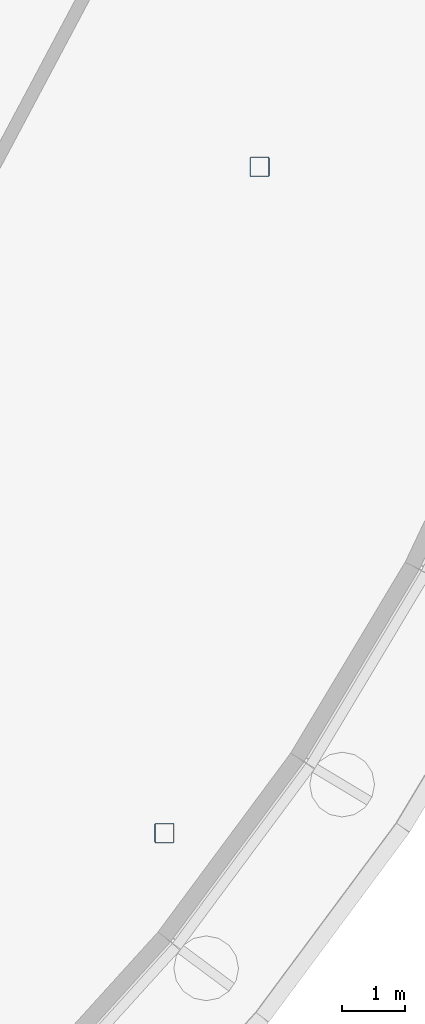
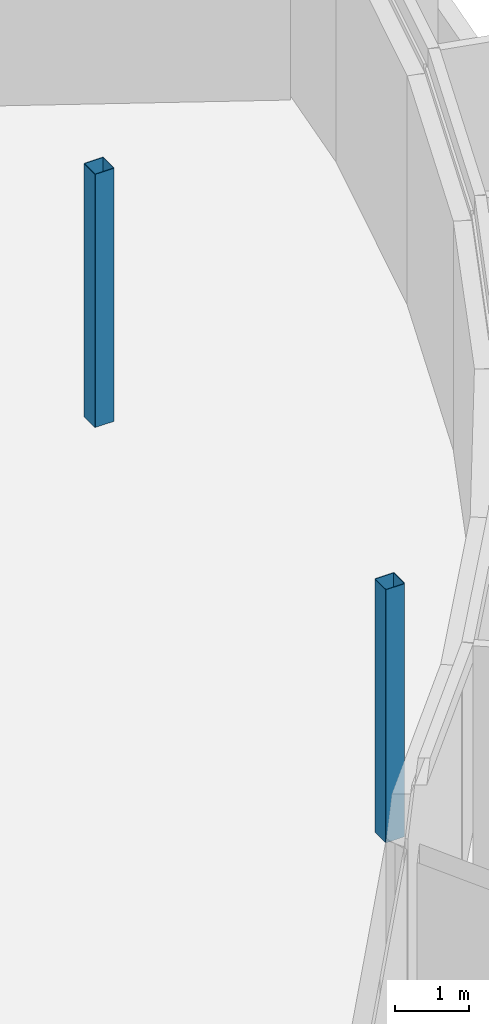
# One storey, part 2 of 12: 2 columns.
"""IFC4 building model written with IfcOpenShell, lengths in metres."""

from ifc_helpers import new_model, si_unit, direction, frame, origin, origin_2d, place, context, subcontext, project, spatial, hollow_rectangle, extrude, material, material_profile, profile_set, type_object, element, save


model = new_model("IFC4")

# Units and contexts
model_context = context("Model", 3, precision=1e-05, world=origin(), true_north=direction((0.0, 1.0)))
body_context = subcontext(model_context, "Body", "Model", "MODEL_VIEW")
ifc_project = project(units=[si_unit("LENGTHUNIT", "METRE"), si_unit("AREAUNIT", "SQUARE_METRE"), si_unit("VOLUMEUNIT", "CUBIC_METRE"), si_unit("PLANEANGLEUNIT", "RADIAN"), si_unit("MASSUNIT", "GRAM", prefix="KILO")], contexts=[model_context])

# Site, building, storey
site_placement = place(None, origin())
site = spatial("IfcSite", under=ifc_project, at=site_placement, CompositionType="ELEMENT")
building_placement = place(site_placement, origin())
building = spatial("IfcBuilding", under=site, at=building_placement, Name="Cormorant Relay Tower", CompositionType="ELEMENT")
storey_placement = place(building_placement, frame((0.0, 0.0, 349.199951171875)))
storey = spatial("IfcBuildingStorey", under=building, at=storey_placement, Name="C6", CompositionType="ELEMENT", Elevation=349.199951171875)

# Columns
ifc_material = material(Name="Steel ASTM A500 Grade C (Fy 345 MPa)", Category="steel")
ifc_material_profile = material_profile(ifc_material, hollow_rectangle(XDim=0.3046875, YDim=0.3046875, WallThickness=0.0087890625, InnerFilletRadius=0.00439453125, OuterFilletRadius=0.01318359375, at=origin_2d()), Name="HSS305x305x9")
ifc_profile_set = profile_set([ifc_material_profile], Name="Steel ASTM A500 Grade C (Fy 345 MPa)")
column_type = type_object("IfcColumnType", Name="Column HSS305x305x9", PredefinedType="COLUMN", material=ifc_profile_set)
for number, where, z_axis, x_axis, name in (
    (1, (-12.0, 0.0, 0.0), (0.0, 0.0, 1.0), (1.0, 0.0, 0.0), "Column C6-001"),
    (2, (-10.5, 10.5, 0.0), (0.0, 0.0, 1.0), (1.0, 0.0, 0.0), "Column C6-002"),
):
    element("IfcColumn", number, at=place(storey_placement, frame(where, z_axis=z_axis, x_axis=x_axis)), inside=storey, type_object=column_type, Name=name, PredefinedType="COLUMN", context=body_context, shape_type="SweptSolid", body=[
        extrude(hollow_rectangle(XDim=0.3046875, YDim=0.3046875, WallThickness=0.0087890625, InnerFilletRadius=0.00439453125, OuterFilletRadius=0.01318359375, at=origin_2d()), origin(), (0.0, 0.0, 1.0), 4.199951171875),
    ])

save(model, "model.ifc")
